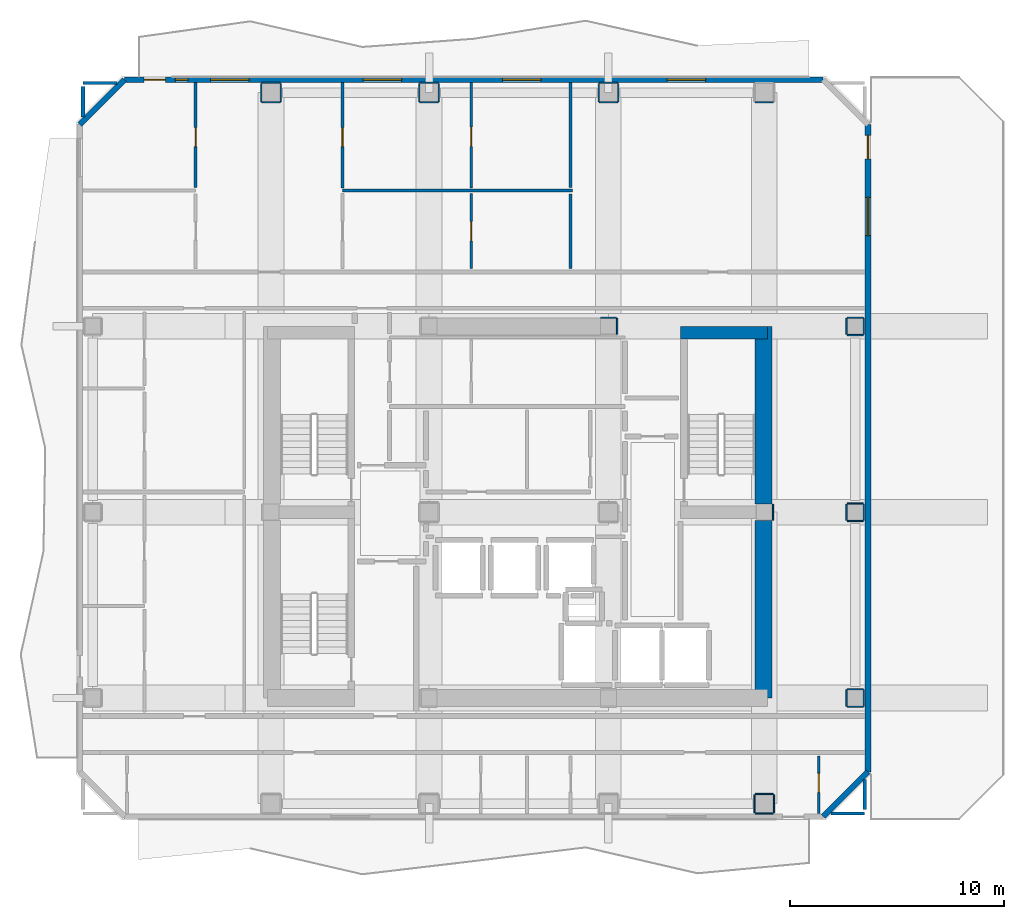
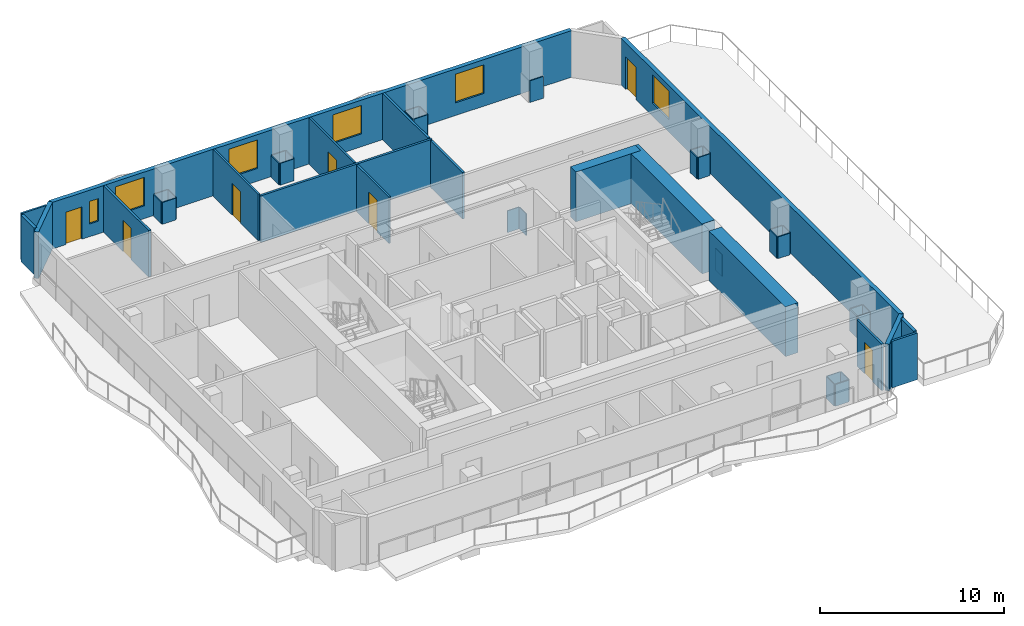
# One storey, part 5 of 10: 51 walls, 7 doors, 6 windows, 13 openings.
"""IFC4 building model written with IfcOpenShell, lengths in metres."""

from ifc_helpers import new_model, si_unit, direction, frame, frame_2d, origin, place, context, subcontext, project, spatial, rectangle, extrude, material, layer, layer_set, type_object, element, fill, save


model = new_model("IFC4")

# Units and contexts
model_context = context("Model", 3, precision=1e-05, world=origin(), true_north=direction((0.0, 1.0)))
body_context = subcontext(model_context, "Body", "Model", "MODEL_VIEW")
ifc_project = project(units=[si_unit("LENGTHUNIT", "METRE"), si_unit("AREAUNIT", "SQUARE_METRE"), si_unit("VOLUMEUNIT", "CUBIC_METRE"), si_unit("PLANEANGLEUNIT", "RADIAN"), si_unit("MASSUNIT", "GRAM", prefix="KILO")], contexts=[model_context])

# Site, building, storey
site_placement = place(None, origin())
site = spatial("IfcSite", under=ifc_project, at=site_placement, CompositionType="ELEMENT")
building_placement = place(site_placement, origin())
building = spatial("IfcBuilding", under=site, at=building_placement, Name="Solanera Arch Residences", CompositionType="ELEMENT")
storey_placement = place(building_placement, frame((0.0, 0.0, 251.199951171875)))
storey = spatial("IfcBuildingStorey", under=building, at=storey_placement, Name="L73", CompositionType="ELEMENT", Elevation=251.199951171875)

# Walls
ifc_material_1 = material(Name="Fire-Rated Gypsum Stud Partition", Category="gypsum")
ifc_layer_1 = layer(ifc_material_1, 0.06005859375)
ifc_layer_set_1 = layer_set([ifc_layer_1], Name="Fire-Rated Gypsum Stud Partition")
wall_type_1 = type_object("IfcWallType", Name="Column Acoustic Furring Wall 60", PredefinedType="PARTITIONING", material=ifc_layer_set_1)
wall_1_placement = place(storey_placement, frame((28.8330078125, 39.806884765625, 0.0), z_axis=(0.0, 0.0, 1.0), x_axis=(1.0, 0.0, 0.0)))
element("IfcWall", 1, at=wall_1_placement, inside=storey, type_object=wall_type_1, Name="L73 Column Furring 4N", PredefinedType="PARTITIONING", context=body_context, shape_type="SweptSolid", body=[
    extrude(rectangle(XDim=0.741943359375, YDim=0.06005859375, at=frame_2d((0.37109375, 0.0))), origin(), (0.0, 0.0, 1.0), 1.449951171875),
])
for number, where, z_axis, x_axis, name in (
    (2, (29.60693359375, 39.02490234375, 0.0), (0.0, 0.0, 1.0), (0.0, 1.0, 0.0), "L73 Column Furring 4E"),
    (3, (36.906982421875, 30.324951171875, 0.0), (0.0, 0.0, 1.0), (0.0, 1.0, 0.0), "L73 Column Furring 6E"),
):
    element("IfcWall", number, at=place(storey_placement, frame(where, z_axis=z_axis, x_axis=x_axis)), inside=storey, type_object=wall_type_1, Name=name, PredefinedType="PARTITIONING", context=body_context, shape_type="SweptSolid", body=[
        extrude(rectangle(XDim=0.75, YDim=0.06005859375, at=frame_2d((0.375, 0.0))), origin(), (0.0, 0.0, 1.0), 1.449951171875),
    ])
for number, where, z_axis, x_axis, name in (
    (4, (12.97509765625, 49.89306640625, 0.0), (0.0, 0.0, 1.0), (1.0, 0.0, 0.0), "L73 Column Furring 10S"),
    (5, (12.97509765625, 50.806884765625, 0.0), (0.0, 0.0, 1.0), (1.0, 0.0, 0.0), "L73 Column Furring 10N"),
    (6, (12.943115234375, 49.925048828125, 0.0), (0.0, 0.0, 1.0), (0.0, 1.0, 0.0), "L73 Column Furring 10W"),
    (7, (13.85693359375, 49.925048828125, 0.0), (0.0, 0.0, 1.0), (0.0, 1.0, 0.0), "L73 Column Furring 10E"),
):
    element("IfcWall", number, at=place(storey_placement, frame(where, z_axis=z_axis, x_axis=x_axis)), inside=storey, type_object=wall_type_1, Name=name, PredefinedType="PARTITIONING", context=body_context, shape_type="SweptSolid", body=[
        extrude(rectangle(XDim=0.849853515625, YDim=0.06005859375, at=frame_2d((0.4248046875, 0.0))), origin(), (0.0, 0.0, 1.0), 1.449951171875),
    ])
for number, where, z_axis, x_axis, name in (
    (8, (20.375, 49.89306640625, 0.0), (0.0, 0.0, 1.0), (1.0, 0.0, 0.0), "L73 Column Furring 12S"),
    (9, (20.375, 50.806884765625, 0.0), (0.0, 0.0, 1.0), (1.0, 0.0, 0.0), "L73 Column Furring 12N"),
):
    element("IfcWall", number, at=place(storey_placement, frame(where, z_axis=z_axis, x_axis=x_axis)), inside=storey, type_object=wall_type_1, Name=name, PredefinedType="PARTITIONING", context=body_context, shape_type="SweptSolid", body=[
        extrude(rectangle(XDim=0.85009765625, YDim=0.06005859375, at=frame_2d((0.425048828125, 0.0))), origin(), (0.0, 0.0, 1.0), 1.449951171875),
    ])
for number, where, z_axis, x_axis, name in (
    (10, (20.343017578125, 49.925048828125, 0.0), (0.0, 0.0, 1.0), (0.0, 1.0, 0.0), "L73 Column Furring 12W"),
    (11, (21.257080078125, 49.925048828125, 0.0), (0.0, 0.0, 1.0), (0.0, 1.0, 0.0), "L73 Column Furring 12E"),
):
    element("IfcWall", number, at=place(storey_placement, frame(where, z_axis=z_axis, x_axis=x_axis)), inside=storey, type_object=wall_type_1, Name=name, PredefinedType="PARTITIONING", context=body_context, shape_type="SweptSolid", body=[
        extrude(rectangle(XDim=0.849853515625, YDim=0.06005859375, at=frame_2d((0.4248046875, 0.0))), origin(), (0.0, 0.0, 1.0), 1.449951171875),
    ])
for number, where, z_axis, x_axis, name in (
    (12, (28.77490234375, 49.89306640625, 0.0), (0.0, 0.0, 1.0), (1.0, 0.0, 0.0), "L73 Column Furring 14S"),
    (13, (28.77490234375, 50.806884765625, 0.0), (0.0, 0.0, 1.0), (1.0, 0.0, 0.0), "L73 Column Furring 14N"),
):
    element("IfcWall", number, at=place(storey_placement, frame(where, z_axis=z_axis, x_axis=x_axis)), inside=storey, type_object=wall_type_1, Name=name, PredefinedType="PARTITIONING", context=body_context, shape_type="SweptSolid", body=[
        extrude(rectangle(XDim=0.85009765625, YDim=0.06005859375, at=frame_2d((0.425048828125, 0.0))), origin(), (0.0, 0.0, 1.0), 1.449951171875),
    ])
for number, where, z_axis, x_axis, name in (
    (14, (28.742919921875, 49.925048828125, 0.0), (0.0, 0.0, 1.0), (0.0, 1.0, 0.0), "L73 Column Furring 14W"),
    (15, (29.656982421875, 49.925048828125, 0.0), (0.0, 0.0, 1.0), (0.0, 1.0, 0.0), "L73 Column Furring 14E"),
):
    element("IfcWall", number, at=place(storey_placement, frame(where, z_axis=z_axis, x_axis=x_axis)), inside=storey, type_object=wall_type_1, Name=name, PredefinedType="PARTITIONING", context=body_context, shape_type="SweptSolid", body=[
        extrude(rectangle(XDim=0.849853515625, YDim=0.06005859375, at=frame_2d((0.4248046875, 0.0))), origin(), (0.0, 0.0, 1.0), 1.449951171875),
    ])
for number, where, z_axis, x_axis, name in (
    (16, (36.074951171875, 16.593017578125, 0.0), (0.0, 0.0, 1.0), (1.0, 0.0, 0.0), "L73 Column Furring 15S"),
    (17, (36.074951171875, 17.507080078125, 0.0), (0.0, 0.0, 1.0), (1.0, 0.0, 0.0), "L73 Column Furring 15N"),
    (18, (36.04296875, 16.625, 0.0), (0.0, 0.0, 1.0), (0.0, 1.0, 0.0), "L73 Column Furring 15W"),
    (19, (36.95703125, 16.625, 0.0), (0.0, 0.0, 1.0), (0.0, 1.0, 0.0), "L73 Column Furring 15E"),
    (20, (36.074951171875, 49.89306640625, 0.0), (0.0, 0.0, 1.0), (1.0, 0.0, 0.0), "L73 Column Furring 16S"),
):
    element("IfcWall", number, at=place(storey_placement, frame(where, z_axis=z_axis, x_axis=x_axis)), inside=storey, type_object=wall_type_1, Name=name, PredefinedType="PARTITIONING", context=body_context, shape_type="SweptSolid", body=[
        extrude(rectangle(XDim=0.85009765625, YDim=0.06005859375, at=frame_2d((0.425048828125, 0.0))), origin(), (0.0, 0.0, 1.0), 1.449951171875),
    ])
for number, where, z_axis, x_axis, name in (
    (21, (40.375, 21.593017578125, 0.0), (0.0, 0.0, 1.0), (1.0, 0.0, 0.0), "L73 Column Furring 18S"),
    (22, (40.375, 22.406982421875, 0.0), (0.0, 0.0, 1.0), (1.0, 0.0, 0.0), "L73 Column Furring 18N"),
    (23, (40.343017578125, 21.625, 0.0), (0.0, 0.0, 1.0), (0.0, 1.0, 0.0), "L73 Column Furring 18W"),
    (24, (41.156982421875, 21.625, 0.0), (0.0, 0.0, 1.0), (0.0, 1.0, 0.0), "L73 Column Furring 18E"),
    (25, (40.375, 30.29296875, 0.0), (0.0, 0.0, 1.0), (1.0, 0.0, 0.0), "L73 Column Furring 20S"),
    (26, (40.375, 31.10693359375, 0.0), (0.0, 0.0, 1.0), (1.0, 0.0, 0.0), "L73 Column Furring 20N"),
    (27, (40.343017578125, 30.324951171875, 0.0), (0.0, 0.0, 1.0), (0.0, 1.0, 0.0), "L73 Column Furring 20W"),
    (28, (41.156982421875, 30.324951171875, 0.0), (0.0, 0.0, 1.0), (0.0, 1.0, 0.0), "L73 Column Furring 20E"),
    (29, (40.375, 38.992919921875, 0.0), (0.0, 0.0, 1.0), (1.0, 0.0, 0.0), "L73 Column Furring 22S"),
    (30, (40.375, 39.806884765625, 0.0), (0.0, 0.0, 1.0), (1.0, 0.0, 0.0), "L73 Column Furring 22N"),
    (31, (40.343017578125, 39.02490234375, 0.0), (0.0, 0.0, 1.0), (0.0, 1.0, 0.0), "L73 Column Furring 22W"),
    (32, (41.156982421875, 39.02490234375, 0.0), (0.0, 0.0, 1.0), (0.0, 1.0, 0.0), "L73 Column Furring 22E"),
):
    element("IfcWall", number, at=place(storey_placement, frame(where, z_axis=z_axis, x_axis=x_axis)), inside=storey, type_object=wall_type_1, Name=name, PredefinedType="PARTITIONING", context=body_context, shape_type="SweptSolid", body=[
        extrude(rectangle(XDim=0.75, YDim=0.06005859375, at=frame_2d((0.375, 0.0))), origin(), (0.0, 0.0, 1.0), 1.449951171875),
    ])
ifc_material_2 = material(Name="Concrete C40/50 (f'c = 45 MPa)", Category="concrete")
ifc_layer_2 = layer(ifc_material_2, 0.60009765625)
ifc_layer_set_2 = layer_set([ifc_layer_2], Name="Concrete C40/50 (f'c = 45 MPa)")
wall_type_2 = type_object("IfcWallType", Name="Core Shear Wall CW-600", PredefinedType="SHEAR", material=ifc_layer_set_2)
wall_2_placement = place(storey_placement, frame((32.580078125, 39.10009765625, 0.0), z_axis=(0.0, 0.0, 1.0), x_axis=(1.0, 0.0, 0.0)))
element("IfcWall", 33, at=wall_2_placement, inside=storey, type_object=wall_type_2, Name="L73 North-East Core Shear Wall", PredefinedType="SHEAR", context=body_context, shape_type="SweptSolid", body=[
    extrude(rectangle(XDim=4.079833984375, YDim=0.60009765625, at=frame_2d((2.0400390625, 0.0))), origin(), (0.0, 0.0, 1.0), 3.320068359375),
])
ifc_material_3 = material(Name="Concrete C40/50 (f'c = 45 MPa)", Category="concrete")
ifc_layer_3 = layer(ifc_material_3, 0.800048828125)
ifc_layer_set_3 = layer_set([ifc_layer_3], Name="Concrete C40/50 (f'c = 45 MPa)")
wall_type_3 = type_object("IfcWallType", Name="Core Shear Wall CW-800", PredefinedType="SHEAR", material=ifc_layer_set_3)
wall_3_placement = place(storey_placement, frame((36.4599609375, 22.0, 0.0), z_axis=(0.0, 0.0, 1.0), x_axis=(0.0, 1.0, 0.0)))
element("IfcWall", 34, at=wall_3_placement, inside=storey, type_object=wall_type_3, Name="L73 East Core South Shear Wall", PredefinedType="SHEAR", context=body_context, shape_type="SweptSolid", body=[
    extrude(rectangle(XDim=8.320068359375, YDim=0.800048828125, at=frame_2d((4.16015625, 0.0))), origin(), (0.0, 0.0, 1.0), 3.320068359375),
])
wall_4_placement = place(storey_placement, frame((36.4599609375, 31.080078125, 0.0), z_axis=(0.0, 0.0, 1.0), x_axis=(0.0, 1.0, 0.0)))
element("IfcWall", 35, at=wall_4_placement, inside=storey, type_object=wall_type_3, Name="L73 East Core North Shear Wall", PredefinedType="SHEAR", context=body_context, shape_type="SweptSolid", body=[
    extrude(rectangle(XDim=8.31982421875, YDim=0.800048828125, at=frame_2d((4.159912109375, 0.0))), origin(), (0.0, 0.0, 1.0), 3.320068359375),
])
ifc_material_4 = material(Name="Autoclaved Aerated Concrete Blockwork", Category="masonry")
ifc_layer_4 = layer(ifc_material_4, 0.179931640625)
ifc_layer_set_4 = layer_set([ifc_layer_4], Name="Autoclaved Aerated Concrete Blockwork")
wall_type_4 = type_object("IfcWallType", Name="Corridor Fire Partition 180", PredefinedType="PARTITIONING", material=ifc_layer_set_4)
wall_5_placement = place(storey_placement, frame((4.60009765625, 49.2109375, 0.0), z_axis=(0.0, 0.0, 1.0), x_axis=(0.0, 1.0, 0.0)))
element("IfcWall", 36, at=wall_5_placement, inside=storey, type_object=wall_type_4, Name="L73 Interior Partition V6 2", PredefinedType="PARTITIONING", context=body_context, shape_type="SweptSolid", body=[
    extrude(rectangle(XDim=1.43115234375, YDim=0.179931640625, at=frame_2d((0.715576171875, 0.0))), origin(), (0.0, 0.0, 1.0), 3.10009765625),
])
wall_6_placement = place(storey_placement, frame((41.199951171875, 16.76806640625, 0.0), z_axis=(0.0, 0.0, 1.0), x_axis=(0.0, 1.0, 0.0)))
element("IfcWall", 37, at=wall_6_placement, inside=storey, type_object=wall_type_4, Name="L73 Interior Partition V9", PredefinedType="PARTITIONING", context=body_context, shape_type="SweptSolid", body=[
    extrude(rectangle(XDim=1.4208984375, YDim=0.179931640625, at=frame_2d((0.71044921875, 0.0))), origin(), (0.0, 0.0, 1.0), 3.10009765625),
])
ifc_material_5 = material(Name="Precast Concrete C35/45", Category="concrete")
ifc_layer_5 = layer(ifc_material_5, 0.260009765625)
ifc_layer_set_5 = layer_set([ifc_layer_5], Name="Precast Concrete C35/45")
wall_type_5 = type_object("IfcWallType", Name="Exterior Wall Precast Masonry-Frame 260", PredefinedType="STANDARD", material=ifc_layer_set_5)
wall_7_placement = place(storey_placement, frame((4.445068359375, 48.85498046875, 0.0), z_axis=(0.0, 0.0, 1.0), x_axis=(0.707065676302, 0.707147883682, 0.0)))
element("IfcWall", 38, at=wall_7_placement, inside=storey, type_object=wall_type_5, Name="L73 Tower Exterior Precast Masonry-Frame Wall CH1", PredefinedType="STANDARD", context=body_context, shape_type="SweptSolid", body=[
    extrude(rectangle(XDim=2.9697265625, YDim=0.260009765625, at=frame_2d((1.48486328125, 0.0))), origin(), (0.0, 0.0, 1.0), 3.10009765625),
])

# Wall, openings, door, windows
wall_8_placement = place(storey_placement, frame((6.544921875, 50.955078125, 0.0), z_axis=(0.0, 0.0, 1.0), x_axis=(1.0, 0.0, 0.0)))
wall_8 = element("IfcWall", 39, at=wall_8_placement, inside=storey, type_object=wall_type_5, Name="L73 Tower Exterior Precast Masonry-Frame Wall N", PredefinedType="STANDARD", context=body_context, shape_type="SweptSolid", body=[
    extrude(rectangle(XDim=32.7099609375, YDim=0.260009765625, at=frame_2d((16.35498046875, 0.0))), origin(), (0.0, 0.0, 1.0), 3.10009765625),
])
opening_1_placement = place(wall_8_placement, frame((0.906982421875, 0.0, 0.0)))
opening_1 = element("IfcOpeningElement", 40, at=opening_1_placement, cuts=wall_8, Name="Opening DB-01", PredefinedType="OPENING", context=body_context, shape_type="SweptSolid", body=[
    extrude(rectangle(XDim=1.0, YDim=2.14990234375, at=frame_2d((0.5, 1.074951171875))), frame((0.0, 0.139892578125, 0.0), z_axis=(0.0, -1.0, 0.0), x_axis=(1.0, 0.0, 0.0)), (0.0, 0.0, 1.0), 0.28),
])
opening_2_placement = place(wall_8_placement, frame((4.028076171875, 0.0, 0.85009765625)))
opening_2 = element("IfcOpeningElement", 41, at=opening_2_placement, cuts=wall_8, Name="Opening W-03", PredefinedType="OPENING", context=body_context, shape_type="SweptSolid", body=[
    extrude(rectangle(XDim=1.800048828125, YDim=1.89990234375, at=frame_2d((0.89990234375, 0.949951171875))), frame((0.0, 0.139892578125, 0.0), z_axis=(0.0, -1.0, 0.0), x_axis=(1.0, 0.0, 0.0)), (0.0, 0.0, 1.0), 0.28),
])
opening_3_placement = place(wall_8_placement, frame((2.376953125, 0.0, 0.85009765625)))
opening_3 = element("IfcOpeningElement", 42, at=opening_3_placement, cuts=wall_8, Name="Opening W-14", PredefinedType="OPENING", context=body_context, shape_type="SweptSolid", body=[
    extrude(rectangle(XDim=0.580078125, YDim=1.5, at=frame_2d((0.2900390625, 0.75))), frame((0.0, 0.139892578125, 0.0), z_axis=(0.0, -1.0, 0.0), x_axis=(1.0, 0.0, 0.0)), (0.0, 0.0, 1.0), 0.28),
])
opening_4_placement = place(wall_8_placement, frame((11.166015625, 0.0, 0.85009765625)))
opening_4 = element("IfcOpeningElement", 43, at=opening_4_placement, cuts=wall_8, Name="Opening W-03", PredefinedType="OPENING", context=body_context, shape_type="SweptSolid", body=[
    extrude(rectangle(XDim=1.800048828125, YDim=1.89990234375, at=frame_2d((0.89990234375, 0.949951171875))), frame((0.0, 0.139892578125, 0.0), z_axis=(0.0, -1.0, 0.0), x_axis=(1.0, 0.0, 0.0)), (0.0, 0.0, 1.0), 0.28),
])
opening_5_placement = place(wall_8_placement, frame((17.705078125, 0.0, 0.85009765625)))
opening_5 = element("IfcOpeningElement", 44, at=opening_5_placement, cuts=wall_8, Name="Opening W-03", PredefinedType="OPENING", context=body_context, shape_type="SweptSolid", body=[
    extrude(rectangle(XDim=1.800048828125, YDim=1.89990234375, at=frame_2d((0.89990234375, 0.949951171875))), frame((0.0, 0.139892578125, 0.0), z_axis=(0.0, -1.0, 0.0), x_axis=(1.0, 0.0, 0.0)), (0.0, 0.0, 1.0), 0.28),
])
opening_6_placement = place(wall_8_placement, frame((25.405029296875, 0.0, 0.85009765625)))
opening_6 = element("IfcOpeningElement", 45, at=opening_6_placement, cuts=wall_8, Name="Opening W-03", PredefinedType="OPENING", context=body_context, shape_type="SweptSolid", body=[
    extrude(rectangle(XDim=1.800048828125, YDim=1.89990234375, at=frame_2d((0.89990234375, 0.949951171875))), frame((0.0, 0.139892578125, 0.0), z_axis=(0.0, -1.0, 0.0), x_axis=(1.0, 0.0, 0.0)), (0.0, 0.0, 1.0), 0.28),
])
ifc_material_6 = material(Name="Anodised Aluminium Alloy 6063-T6", Category="aluminium")
door_type_1 = type_object("IfcDoorType", Name="Glazed Balcony Swing Door DB-01", OperationType="NOTDEFINED", PredefinedType="DOOR", material=ifc_material_6)
door_1_placement = place(opening_1_placement, origin())
door_1 = element("IfcDoor", 46, at=door_1_placement, inside=storey, type_object=door_type_1, Name="DR-L73-OUT-03", OperationType="SINGLE_SWING_LEFT", OverallHeight=2.14990234375, OverallWidth=1.0, PredefinedType="DOOR", context=body_context, shape_type="SweptSolid", body=[
    extrude(rectangle(XDim=1.0, YDim=2.14990234375, at=frame_2d((0.5, 1.074951171875))), frame((0.0, 0.02490234375, 0.0), z_axis=(0.0, -1.0, 0.0), x_axis=(1.0, 0.0, 0.0)), (0.0, 0.0, 1.0), 0.050048828125),
])
fill(opening_1, door_1)
ifc_material_7 = material(Name="Double Glazed Low-E Laminated Glass", Category="glass")
window_type_1 = type_object("IfcWindowType", Name="Punched Window W-03", PartitioningType="DOUBLE_PANEL_VERTICAL", PredefinedType="WINDOW", material=ifc_material_7)
window_1_placement = place(opening_2_placement, origin())
window_1 = element("IfcWindow", 47, at=window_1_placement, inside=storey, type_object=window_type_1, Name="L73 7303-LIV Punched Window", OverallHeight=1.89990234375, OverallWidth=1.800048828125, PartitioningType="SINGLE_PANEL", PredefinedType="WINDOW", context=body_context, shape_type="SweptSolid", body=[
    extrude(rectangle(XDim=1.800048828125, YDim=1.89990234375, at=frame_2d((0.89990234375, 0.949951171875))), frame((0.0, 0.030029296875, 0.0), z_axis=(0.0, -1.0, 0.0), x_axis=(1.0, 0.0, 0.0)), (0.0, 0.0, 1.0), 0.06005859375),
])
fill(opening_2, window_1)
window_2_placement = place(opening_4_placement, origin())
window_2 = element("IfcWindow", 48, at=window_2_placement, inside=storey, type_object=window_type_1, Name="L73 7303-BR2 Punched Window", OverallHeight=1.89990234375, OverallWidth=1.800048828125, PartitioningType="SINGLE_PANEL", PredefinedType="WINDOW", context=body_context, shape_type="SweptSolid", body=[
    extrude(rectangle(XDim=1.800048828125, YDim=1.89990234375, at=frame_2d((0.89990234375, 0.949951171875))), frame((0.0, 0.030029296875, 0.0), z_axis=(0.0, -1.0, 0.0), x_axis=(1.0, 0.0, 0.0)), (0.0, 0.0, 1.0), 0.06005859375),
])
fill(opening_4, window_2)
window_3_placement = place(opening_5_placement, origin())
window_3 = element("IfcWindow", 49, at=window_3_placement, inside=storey, type_object=window_type_1, Name="L73 7303-BR3 Punched Window", OverallHeight=1.89990234375, OverallWidth=1.800048828125, PartitioningType="SINGLE_PANEL", PredefinedType="WINDOW", context=body_context, shape_type="SweptSolid", body=[
    extrude(rectangle(XDim=1.800048828125, YDim=1.89990234375, at=frame_2d((0.89990234375, 0.949951171875))), frame((0.0, 0.030029296875, 0.0), z_axis=(0.0, -1.0, 0.0), x_axis=(1.0, 0.0, 0.0)), (0.0, 0.0, 1.0), 0.06005859375),
])
fill(opening_5, window_3)
window_4_placement = place(opening_6_placement, origin())
window_4 = element("IfcWindow", 50, at=window_4_placement, inside=storey, type_object=window_type_1, Name="L73 AMN-WIN Punched Window", OverallHeight=1.89990234375, OverallWidth=1.800048828125, PartitioningType="SINGLE_PANEL", PredefinedType="WINDOW", context=body_context, shape_type="SweptSolid", body=[
    extrude(rectangle(XDim=1.800048828125, YDim=1.89990234375, at=frame_2d((0.89990234375, 0.949951171875))), frame((0.0, 0.030029296875, 0.0), z_axis=(0.0, -1.0, 0.0), x_axis=(1.0, 0.0, 0.0)), (0.0, 0.0, 1.0), 0.06005859375),
])
fill(opening_6, window_4)
ifc_material_8 = material(Name="Double Glazed Low-E Laminated Glass", Category="glass")
window_type_2 = type_object("IfcWindowType", Name="Punched Window W-14", PartitioningType="SINGLE_PANEL", PredefinedType="WINDOW", material=ifc_material_8)
window_5_placement = place(opening_3_placement, origin())
window_5 = element("IfcWindow", 51, at=window_5_placement, inside=storey, type_object=window_type_2, Name="L73 7303-BR1 Punched Window", OverallHeight=1.5, OverallWidth=0.580078125, PartitioningType="SINGLE_PANEL", PredefinedType="WINDOW", context=body_context, shape_type="SweptSolid", body=[
    extrude(rectangle(XDim=0.580078125, YDim=1.5, at=frame_2d((0.2900390625, 0.75))), frame((0.0, 0.030029296875, 0.0), z_axis=(0.0, -1.0, 0.0), x_axis=(1.0, 0.0, 0.0)), (0.0, 0.0, 1.0), 0.06005859375),
])
fill(opening_3, window_5)

# Wall, openings, door, window
wall_9_placement = place(storey_placement, frame((41.35498046875, 48.85498046875, 0.0), z_axis=(0.0, 0.0, 1.0), x_axis=(0.0, -1.0, 0.0)))
wall_9 = element("IfcWall", 52, at=wall_9_placement, inside=storey, type_object=wall_type_5, Name="L73 Tower Exterior Precast Masonry-Frame Wall E", PredefinedType="STANDARD", context=body_context, shape_type="SweptSolid", body=[
    extrude(rectangle(XDim=30.31005859375, YDim=0.260009765625, at=frame_2d((15.155029296875, 0.0))), origin(), (0.0, 0.0, 1.0), 3.10009765625),
])
opening_7_placement = place(wall_9_placement, frame((0.507080078125, 0.0, 0.0)))
opening_7 = element("IfcOpeningElement", 53, at=opening_7_placement, cuts=wall_9, Name="Opening DB-02", PredefinedType="OPENING", context=body_context, shape_type="SweptSolid", body=[
    extrude(rectangle(XDim=1.10009765625, YDim=2.14990234375, at=frame_2d((0.550048828125, 1.074951171875))), frame((0.0, 0.139892578125, 0.0), z_axis=(0.0, -1.0, 0.0), x_axis=(1.0, 0.0, 0.0)), (0.0, 0.0, 1.0), 0.28),
])
opening_8_placement = place(wall_9_placement, frame((3.406005859375, 0.0, 0.85009765625)))
opening_8 = element("IfcOpeningElement", 54, at=opening_8_placement, cuts=wall_9, Name="Opening W-03", PredefinedType="OPENING", context=body_context, shape_type="SweptSolid", body=[
    extrude(rectangle(XDim=1.800048828125, YDim=1.89990234375, at=frame_2d((0.89990234375, 0.949951171875))), frame((0.0, 0.139892578125, 0.0), z_axis=(0.0, -1.0, 0.0), x_axis=(1.0, 0.0, 0.0)), (0.0, 0.0, 1.0), 0.28),
])
ifc_material_9 = material(Name="Anodised Aluminium Alloy 6063-T6", Category="aluminium")
door_type_2 = type_object("IfcDoorType", Name="Glazed Terrace Swing Door DB-02", OperationType="NOTDEFINED", PredefinedType="DOOR", material=ifc_material_9)
door_2_placement = place(opening_7_placement, origin())
door_2 = element("IfcDoor", 55, at=door_2_placement, inside=storey, type_object=door_type_2, Name="DR-L73-OUT-01", OperationType="SINGLE_SWING_LEFT", OverallHeight=2.14990234375, OverallWidth=1.10009765625, PredefinedType="DOOR", context=body_context, shape_type="SweptSolid", body=[
    extrude(rectangle(XDim=1.10009765625, YDim=2.14990234375, at=frame_2d((0.550048828125, 1.074951171875))), frame((0.0, 0.02490234375, 0.0), z_axis=(0.0, -1.0, 0.0), x_axis=(1.0, 0.0, 0.0)), (0.0, 0.0, 1.0), 0.050048828125),
])
fill(opening_7, door_2)
window_6_placement = place(opening_8_placement, origin())
window_6 = element("IfcWindow", 56, at=window_6_placement, inside=storey, type_object=window_type_1, Name="L73 AMN-WIN Punched Window", OverallHeight=1.89990234375, OverallWidth=1.800048828125, PartitioningType="SINGLE_PANEL", PredefinedType="WINDOW", context=body_context, shape_type="SweptSolid", body=[
    extrude(rectangle(XDim=1.800048828125, YDim=1.89990234375, at=frame_2d((0.89990234375, 0.949951171875))), frame((0.0, 0.030029296875, 0.0), z_axis=(0.0, -1.0, 0.0), x_axis=(1.0, 0.0, 0.0)), (0.0, 0.0, 1.0), 0.06005859375),
])
fill(opening_8, window_6)

# Walls
wall_10_placement = place(storey_placement, frame((41.35498046875, 18.544921875, 0.0), z_axis=(0.0, 0.0, 1.0), x_axis=(-0.707147883682, -0.707065676302, 0.0)))
element("IfcWall", 57, at=wall_10_placement, inside=storey, type_object=wall_type_5, Name="L73 Tower Exterior Precast Masonry-Frame Wall CH5", PredefinedType="STANDARD", context=body_context, shape_type="SweptSolid", body=[
    extrude(rectangle(XDim=2.9697265625, YDim=0.260009765625, at=frame_2d((1.48486328125, 0.0))), origin(), (0.0, 0.0, 1.0), 3.10009765625),
])
ifc_material_10 = material(Name="Fire-Rated Gypsum Stud Partition", Category="gypsum")
ifc_layer_6 = layer(ifc_material_10, 0.1201171875)
ifc_layer_set_6 = layer_set([ifc_layer_6], Name="Fire-Rated Gypsum Stud Partition")
wall_type_6 = type_object("IfcWallType", Name="Unit Drywall Partition 120", PredefinedType="PARTITIONING", material=ifc_layer_set_6)
wall_11_placement = place(storey_placement, frame((4.60009765625, 50.800048828125, 0.0), z_axis=(0.0, 0.0, 1.0), x_axis=(1.0, 0.0, 0.0)))
element("IfcWall", 58, at=wall_11_placement, inside=storey, type_object=wall_type_6, Name="L73 Interior Partition H20 1", PredefinedType="PARTITIONING", context=body_context, shape_type="SweptSolid", body=[
    extrude(rectangle(XDim=1.5888671875, YDim=0.1201171875, at=frame_2d((0.79443359375, 0.0))), origin(), (0.0, 0.0, 1.0), 3.10009765625),
])

# Wall, opening, door
wall_12_placement = place(storey_placement, frame((16.748046875, 45.89404296875, 0.0), z_axis=(0.0, 0.0, 1.0), x_axis=(0.0, 1.0, 0.0)))
wall_12 = element("IfcWall", 59, at=wall_12_placement, inside=storey, type_object=wall_type_6, Name="L73 Interior Partition V19 2", PredefinedType="PARTITIONING", context=body_context, shape_type="SweptSolid", body=[
    extrude(rectangle(XDim=4.9189453125, YDim=0.1201171875, at=frame_2d((2.45947265625, 0.0))), origin(), (0.0, 0.0, 1.0), 3.10009765625),
])
opening_9_placement = place(wall_12_placement, frame((1.9208984375, 0.0, 0.0)))
opening_9 = element("IfcOpeningElement", 60, at=opening_9_placement, cuts=wall_12, Name="Opening DI-03", PredefinedType="OPENING", context=body_context, shape_type="SweptSolid", body=[
    extrude(rectangle(XDim=0.89990234375, YDim=2.10009765625, at=frame_2d((0.449951171875, 1.050048828125))), frame((0.0, 0.070068359375, 0.0), z_axis=(0.0, -1.0, 0.0), x_axis=(1.0, 0.0, 0.0)), (0.0, 0.0, 1.0), 0.1401),
])
ifc_material_11 = material(Name="Fire-Rated Architectural Hardwood", Category="wood")
door_type_3 = type_object("IfcDoorType", Name="Bedroom Swing Door DI-03", OperationType="NOTDEFINED", PredefinedType="DOOR", material=ifc_material_11)
door_3_placement = place(opening_9_placement, origin())
door_3 = element("IfcDoor", 61, at=door_3_placement, inside=storey, type_object=door_type_3, Name="DR-L73-IN-025", OperationType="SINGLE_SWING_LEFT", OverallHeight=2.10009765625, OverallWidth=0.89990234375, PredefinedType="DOOR", context=body_context, shape_type="SweptSolid", body=[
    extrude(rectangle(XDim=0.89990234375, YDim=2.10009765625, at=frame_2d((0.449951171875, 1.050048828125))), frame((0.0, 0.02490234375, 0.0), z_axis=(0.0, -1.0, 0.0), x_axis=(1.0, 0.0, 0.0)), (0.0, 0.0, 1.0), 0.050048828125),
])
fill(opening_9, door_3)

wall_13_placement = place(storey_placement, frame((22.780029296875, 42.10791015625, 0.0), z_axis=(0.0, 0.0, 1.0), x_axis=(0.0, 1.0, 0.0)))
wall_13 = element("IfcWall", 62, at=wall_13_placement, inside=storey, type_object=wall_type_6, Name="L73 Interior Partition V21 1", PredefinedType="PARTITIONING", context=body_context, shape_type="SweptSolid", body=[
    extrude(rectangle(XDim=3.510009765625, YDim=0.1201171875, at=frame_2d((1.7548828125, 0.0))), origin(), (0.0, 0.0, 1.0), 3.10009765625),
])
opening_10_placement = place(wall_13_placement, frame((1.294921875, 0.0, 0.0)))
opening_10 = element("IfcOpeningElement", 63, at=opening_10_placement, cuts=wall_13, Name="Opening DI-02", PredefinedType="OPENING", context=body_context, shape_type="SweptSolid", body=[
    extrude(rectangle(XDim=0.89990234375, YDim=2.10009765625, at=frame_2d((0.449951171875, 1.050048828125))), frame((0.0, 0.070068359375, 0.0), z_axis=(0.0, -1.0, 0.0), x_axis=(1.0, 0.0, 0.0)), (0.0, 0.0, 1.0), 0.1401),
])
ifc_material_12 = material(Name="Fire-Rated Architectural Hardwood", Category="wood")
door_type_4 = type_object("IfcDoorType", Name="Suite Room Swing Door DI-02", OperationType="NOTDEFINED", PredefinedType="DOOR", material=ifc_material_12)
door_4_placement = place(opening_10_placement, origin())
door_4 = element("IfcDoor", 64, at=door_4_placement, inside=storey, type_object=door_type_4, Name="DR-L73-IN-024", OperationType="SINGLE_SWING_RIGHT", OverallHeight=2.10009765625, OverallWidth=0.89990234375, PredefinedType="DOOR", context=body_context, shape_type="SweptSolid", body=[
    extrude(rectangle(XDim=0.89990234375, YDim=2.10009765625, at=frame_2d((0.449951171875, 1.050048828125))), frame((0.0, 0.02490234375, 0.0), z_axis=(0.0, -1.0, 0.0), x_axis=(1.0, 0.0, 0.0)), (0.0, 0.0, 1.0), 0.050048828125),
])
fill(opening_10, door_4)

wall_14_placement = place(storey_placement, frame((22.780029296875, 45.89404296875, 0.0), z_axis=(0.0, 0.0, 1.0), x_axis=(0.0, 1.0, 0.0)))
wall_14 = element("IfcWall", 65, at=wall_14_placement, inside=storey, type_object=wall_type_6, Name="L73 Interior Partition V21 2", PredefinedType="PARTITIONING", context=body_context, shape_type="SweptSolid", body=[
    extrude(rectangle(XDim=4.9189453125, YDim=0.1201171875, at=frame_2d((2.45947265625, 0.0))), origin(), (0.0, 0.0, 1.0), 3.10009765625),
])
opening_11_placement = place(wall_14_placement, frame((1.93408203125, 0.0, 0.0)))
opening_11 = element("IfcOpeningElement", 66, at=opening_11_placement, cuts=wall_14, Name="Opening DI-03", PredefinedType="OPENING", context=body_context, shape_type="SweptSolid", body=[
    extrude(rectangle(XDim=0.89990234375, YDim=2.10009765625, at=frame_2d((0.449951171875, 1.050048828125))), frame((0.0, 0.070068359375, 0.0), z_axis=(0.0, -1.0, 0.0), x_axis=(1.0, 0.0, 0.0)), (0.0, 0.0, 1.0), 0.1401),
])
door_5_placement = place(opening_11_placement, origin())
door_5 = element("IfcDoor", 67, at=door_5_placement, inside=storey, type_object=door_type_3, Name="DR-L73-IN-026", OperationType="SINGLE_SWING_RIGHT", OverallHeight=2.10009765625, OverallWidth=0.89990234375, PredefinedType="DOOR", context=body_context, shape_type="SweptSolid", body=[
    extrude(rectangle(XDim=0.89990234375, YDim=2.10009765625, at=frame_2d((0.449951171875, 1.050048828125))), frame((0.0, 0.02490234375, 0.0), z_axis=(0.0, -1.0, 0.0), x_axis=(1.0, 0.0, 0.0)), (0.0, 0.0, 1.0), 0.050048828125),
])
fill(opening_11, door_5)

wall_15_placement = place(storey_placement, frame((39.050048828125, 16.5869140625, 0.0), z_axis=(0.0, 0.0, 1.0), x_axis=(0.0, 1.0, 0.0)))
wall_15 = element("IfcWall", 68, at=wall_15_placement, inside=storey, type_object=wall_type_6, Name="L73 Interior Partition V23", PredefinedType="PARTITIONING", context=body_context, shape_type="SweptSolid", body=[
    extrude(rectangle(XDim=2.705078125, YDim=0.1201171875, at=frame_2d((1.3525390625, 0.0))), origin(), (0.0, 0.0, 1.0), 3.10009765625),
])
opening_12_placement = place(wall_15_placement, frame((0.988037109375, 0.0, 0.0)))
opening_12 = element("IfcOpeningElement", 69, at=opening_12_placement, cuts=wall_15, Name="Opening DI-02", PredefinedType="OPENING", context=body_context, shape_type="SweptSolid", body=[
    extrude(rectangle(XDim=0.89990234375, YDim=2.10009765625, at=frame_2d((0.449951171875, 1.050048828125))), frame((0.0, 0.070068359375, 0.0), z_axis=(0.0, -1.0, 0.0), x_axis=(1.0, 0.0, 0.0)), (0.0, 0.0, 1.0), 0.1401),
])
door_6_placement = place(opening_12_placement, origin())
door_6 = element("IfcDoor", 70, at=door_6_placement, inside=storey, type_object=door_type_4, Name="DR-L73-IN-019", OperationType="SINGLE_SWING_LEFT", OverallHeight=2.10009765625, OverallWidth=0.89990234375, PredefinedType="DOOR", context=body_context, shape_type="SweptSolid", body=[
    extrude(rectangle(XDim=0.89990234375, YDim=2.10009765625, at=frame_2d((0.449951171875, 1.050048828125))), frame((0.0, 0.02490234375, 0.0), z_axis=(0.0, -1.0, 0.0), x_axis=(1.0, 0.0, 0.0)), (0.0, 0.0, 1.0), 0.050048828125),
])
fill(opening_12, door_6)

# Walls
ifc_material_13 = material(Name="Autoclaved Aerated Concrete Blockwork", Category="masonry")
ifc_layer_7 = layer(ifc_material_13, 0.139892578125)
ifc_layer_set_7 = layer_set([ifc_layer_7], Name="Autoclaved Aerated Concrete Blockwork")
wall_type_7 = type_object("IfcWallType", Name="Wet-Room Partition 140", PredefinedType="PARTITIONING", material=ifc_layer_set_7)
wall_16_placement = place(storey_placement, frame((39.611083984375, 16.60009765625, 0.0), z_axis=(0.0, 0.0, 1.0), x_axis=(1.0, 0.0, 0.0)))
element("IfcWall", 71, at=wall_16_placement, inside=storey, type_object=wall_type_7, Name="L73 Interior Partition H14 2", PredefinedType="PARTITIONING", context=body_context, shape_type="SweptSolid", body=[
    extrude(rectangle(XDim=1.5888671875, YDim=0.139892578125, at=frame_2d((0.79443359375, 0.0))), origin(), (0.0, 0.0, 1.0), 3.10009765625),
])
wall_17_placement = place(storey_placement, frame((16.748046875, 45.756103515625, 0.0), z_axis=(0.0, 0.0, 1.0), x_axis=(1.0, 0.0, 0.0)))
element("IfcWall", 72, at=wall_17_placement, inside=storey, type_object=wall_type_7, Name="L73 Interior Partition H18", PredefinedType="PARTITIONING", context=body_context, shape_type="SweptSolid", body=[
    extrude(rectangle(XDim=10.77197265625, YDim=0.139892578125, at=frame_2d((5.385986328125, 0.0))), origin(), (0.0, 0.0, 1.0), 3.10009765625),
])

# Wall, opening, door
wall_18_placement = place(storey_placement, frame((9.8720703125, 45.904052734375, 0.0), z_axis=(0.0, 0.0, 1.0), x_axis=(0.0, 1.0, 0.0)))
wall_18 = element("IfcWall", 73, at=wall_18_placement, inside=storey, type_object=wall_type_7, Name="L73 Interior Partition V13 2", PredefinedType="PARTITIONING", context=body_context, shape_type="SweptSolid", body=[
    extrude(rectangle(XDim=4.908935546875, YDim=0.139892578125, at=frame_2d((2.45458984375, 0.0))), origin(), (0.0, 0.0, 1.0), 3.10009765625),
])
opening_13_placement = place(wall_18_placement, frame((1.910888671875, 0.0, 0.0)))
opening_13 = element("IfcOpeningElement", 74, at=opening_13_placement, cuts=wall_18, Name="Opening DI-03", PredefinedType="OPENING", context=body_context, shape_type="SweptSolid", body=[
    extrude(rectangle(XDim=0.89990234375, YDim=2.10009765625, at=frame_2d((0.449951171875, 1.050048828125))), frame((0.0, 0.079833984375, 0.0), z_axis=(0.0, -1.0, 0.0), x_axis=(1.0, 0.0, 0.0)), (0.0, 0.0, 1.0), 0.1599),
])
door_7_placement = place(opening_13_placement, origin())
door_7 = element("IfcDoor", 75, at=door_7_placement, inside=storey, type_object=door_type_3, Name="DR-L73-IN-022", OperationType="SINGLE_SWING_RIGHT", OverallHeight=2.10009765625, OverallWidth=0.89990234375, PredefinedType="DOOR", context=body_context, shape_type="SweptSolid", body=[
    extrude(rectangle(XDim=0.89990234375, YDim=2.10009765625, at=frame_2d((0.449951171875, 1.050048828125))), frame((0.0, 0.02490234375, 0.0), z_axis=(0.0, -1.0, 0.0), x_axis=(1.0, 0.0, 0.0)), (0.0, 0.0, 1.0), 0.050048828125),
])
fill(opening_13, door_7)

# Walls
wall_19_placement = place(storey_placement, frame((27.427978515625, 42.117919921875, 0.0), z_axis=(0.0, 0.0, 1.0), x_axis=(0.0, 1.0, 0.0)))
element("IfcWall", 76, at=wall_19_placement, inside=storey, type_object=wall_type_7, Name="L73 Interior Partition V17 1", PredefinedType="PARTITIONING", context=body_context, shape_type="SweptSolid", body=[
    extrude(rectangle(XDim=3.489990234375, YDim=0.139892578125, at=frame_2d((1.7451171875, 0.0))), origin(), (0.0, 0.0, 1.0), 3.10009765625),
])
wall_20_placement = place(storey_placement, frame((27.427978515625, 45.904052734375, 0.0), z_axis=(0.0, 0.0, 1.0), x_axis=(0.0, 1.0, 0.0)))
element("IfcWall", 77, at=wall_20_placement, inside=storey, type_object=wall_type_7, Name="L73 Interior Partition V17 2", PredefinedType="PARTITIONING", context=body_context, shape_type="SweptSolid", body=[
    extrude(rectangle(XDim=4.908935546875, YDim=0.139892578125, at=frame_2d((2.45458984375, 0.0))), origin(), (0.0, 0.0, 1.0), 3.10009765625),
])

save(model, "model.ifc")
